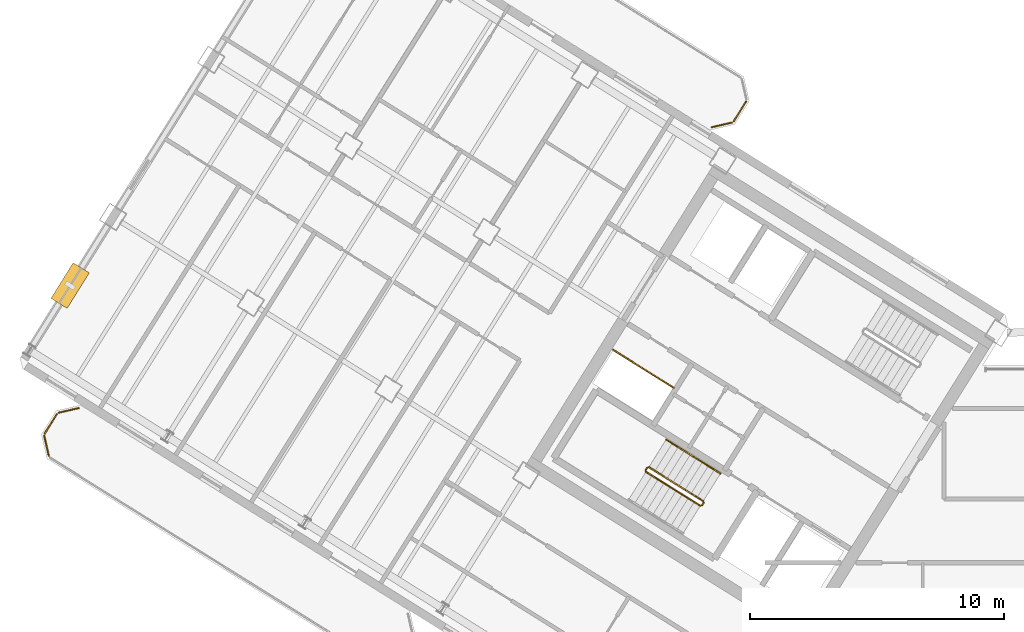
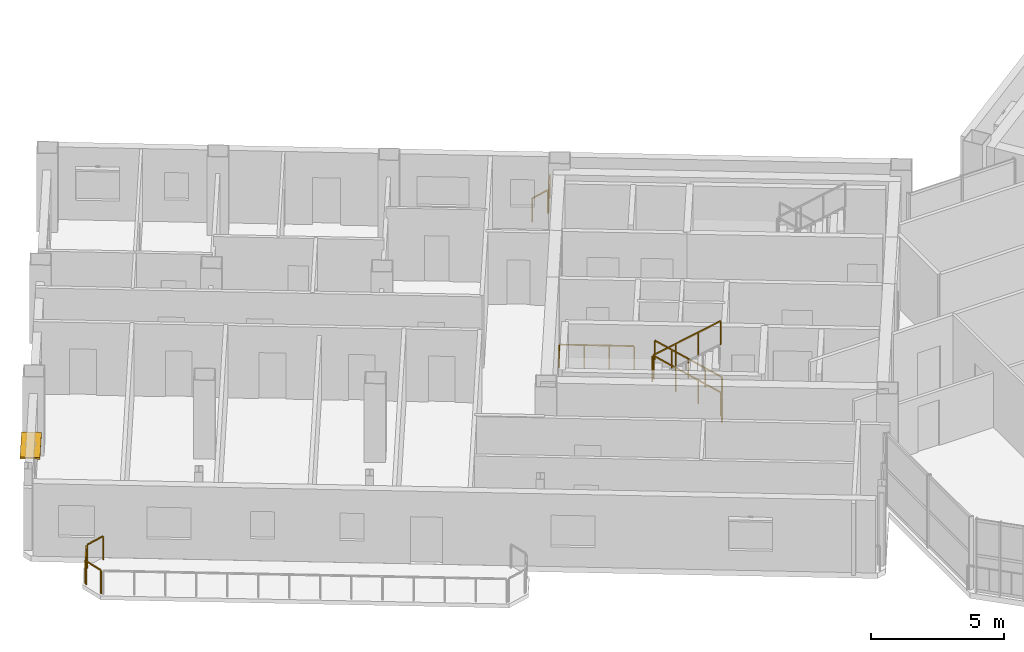
# One storey, part 24 of 27: 12 railings, 1 shading device.
"""IFC4 building model written with IfcOpenShell, lengths in metres."""

from ifc_helpers import new_model, si_unit, direction, frame, origin, origin_2d, place, context, subcontext, project, spatial, rectangle, extrude, source, transform, mapped, material, layer, layer_set, type_object, element, save


model = new_model("IFC4")

# Units and contexts
model_context = context("Model", 3, precision=1e-05, world=origin(), true_north=direction((0.0, 1.0)))
body_context = subcontext(model_context, "Body", "Model", "MODEL_VIEW")
ifc_project = project(units=[si_unit("LENGTHUNIT", "METRE"), si_unit("AREAUNIT", "SQUARE_METRE"), si_unit("VOLUMEUNIT", "CUBIC_METRE"), si_unit("PLANEANGLEUNIT", "RADIAN"), si_unit("MASSUNIT", "GRAM", prefix="KILO")], contexts=[model_context])

# Site, building, storey
site_placement = place(None, origin())
site = spatial("IfcSite", under=ifc_project, at=site_placement, CompositionType="ELEMENT")
building_placement = place(site_placement, origin())
building = spatial("IfcBuilding", under=site, at=building_placement, Name="Tlacorven Tower", CompositionType="ELEMENT")
storey_placement = place(building_placement, frame((0.0, 0.0, 242.10009765625)))
storey = spatial("IfcBuildingStorey", under=building, at=storey_placement, Name="L61", CompositionType="ELEMENT", Elevation=242.10009765625)

# Railings
ifc_material_1 = material(Name="Aluminium and painted steel balustrade", Category="steel")
railing_type_1 = type_object("IfcRailingType", Name="RL-GRD-1100", PredefinedType="GUARDRAIL", material=ifc_material_1)
shared_shape_1 = source(origin(), body_context, "Body", "SweptSolid", [
    extrude(rectangle(XDim=0.048095703125, YDim=0.048095703125, at=origin_2d()), frame((0.0, 0.0, 1.076171875), z_axis=(-0.848091358275, 0.529850024081, 0.0), x_axis=(-0.529850024081, -0.848091358275, 0.0)), (0.0, 0.0, 1.0), 2.800048828125),
    extrude(rectangle(XDim=0.0419921875, YDim=0.0419921875, at=origin_2d()), origin(), (0.0, 0.0, 1.0), 1.052001953125),
    extrude(rectangle(XDim=0.0419921875, YDim=0.0419921875, at=origin_2d()), frame((-0.79150390625, 0.49462890625, 0.0)), (0.0, 0.0, 1.0), 1.052001953125),
    extrude(rectangle(XDim=0.0419921875, YDim=0.0419921875, at=origin_2d()), frame((-1.583251953125, 0.989013671875, 0.0)), (0.0, 0.0, 1.0), 1.052001953125),
    extrude(rectangle(XDim=0.0419921875, YDim=0.0419921875, at=origin_2d()), frame((-2.374755859375, 1.483642578125, 0.0)), (0.0, 0.0, 1.0), 1.052001953125),
])
railing_1_placement = place(storey_placement, frame((27.9912109375, 22.32080078125, 0.0)))
element("IfcRailing", 1, at=railing_1_placement, inside=storey, type_object=railing_type_1, Name="L61 Electrical Riser W Shaft Guard 1", PredefinedType="GUARDRAIL", context=body_context, shape_type="MappedRepresentation", body=[
    mapped(shared_shape_1, transform((0.0, 0.0, 0.0), scale=1.0)),
])
railing_type_2 = type_object("IfcRailingType", Name="RL-BAL-1100", PredefinedType="BALUSTRADE", material=ifc_material_1)
shared_shape_2 = source(origin(), body_context, "Body", "SweptSolid", [
    extrude(rectangle(XDim=0.048095703125, YDim=0.048095703125, at=origin_2d()), frame((0.0, 0.0, 1.076171875), z_axis=(-0.52987865805, -0.848073468364, 0.0), x_axis=(0.848073468364, -0.52987865805, 0.0)), (0.0, 0.0, 1.0), 0.912353515625),
    extrude(rectangle(XDim=0.0419921875, YDim=0.0419921875, at=origin_2d()), origin(), (0.0, 0.0, 1.0), 1.052001953125),
    extrude(rectangle(XDim=0.0419921875, YDim=0.0419921875, at=origin_2d()), frame((-0.4833984375, -0.773681640625, 0.0)), (0.0, 0.0, 1.0), 1.052001953125),
])
railing_2_placement = place(storey_placement, frame((30.845947265625, 33.588623046875, 0.0)))
element("IfcRailing", 2, at=railing_2_placement, inside=storey, type_object=railing_type_2, Name="BAL-L61-W-IN Guard Railing 2", PredefinedType="BALUSTRADE", context=body_context, shape_type="MappedRepresentation", body=[
    mapped(shared_shape_2, transform((0.0, 0.0, 0.0), scale=1.0)),
])
shared_shape_3 = source(origin(), body_context, "Body", "SweptSolid", [
    extrude(rectangle(XDim=0.048095703125, YDim=0.048095703125, at=origin_2d()), frame((0.0, 0.0, 1.076171875), z_axis=(-0.225058334816, 0.974345290916, 0.0), x_axis=(-0.974345290916, -0.225058334816, 0.0)), (0.0, 0.0, 1.0), 0.80712890625),
    extrude(rectangle(XDim=0.0419921875, YDim=0.0419921875, at=origin_2d()), origin(), (0.0, 0.0, 1.0), 1.052001953125),
    extrude(rectangle(XDim=0.0419921875, YDim=0.0419921875, at=origin_2d()), frame((-0.181640625, 0.786376953125, 0.0)), (0.0, 0.0, 1.0), 1.052001953125),
])
railing_3_placement = place(storey_placement, frame((3.380859375, 19.62841796875, 0.0)))
element("IfcRailing", 3, at=railing_3_placement, inside=storey, type_object=railing_type_2, Name="BAL-L61-W-OUT Guard Railing 5", PredefinedType="BALUSTRADE", context=body_context, shape_type="MappedRepresentation", body=[
    mapped(shared_shape_3, transform((0.0, 0.0, 0.0), scale=1.0)),
])
shared_shape_4 = source(origin(), body_context, "Body", "SweptSolid", [
    extrude(rectangle(XDim=0.048095703125, YDim=0.048095703125, at=origin_2d()), frame((0.0, 0.0, 1.076171875), z_axis=(0.52987865805, 0.848073468364, 0.0), x_axis=(-0.848073468364, 0.52987865805, 0.0)), (0.0, 0.0, 1.0), 0.912353515625),
    extrude(rectangle(XDim=0.0419921875, YDim=0.0419921875, at=origin_2d()), origin(), (0.0, 0.0, 1.0), 1.052001953125),
    extrude(rectangle(XDim=0.0419921875, YDim=0.0419921875, at=origin_2d()), frame((0.4833984375, 0.773681640625, 0.0)), (0.0, 0.0, 1.0), 1.052001953125),
])
railing_4_placement = place(storey_placement, frame((3.214599609375, 20.505859375, 0.0)))
element("IfcRailing", 4, at=railing_4_placement, inside=storey, type_object=railing_type_2, Name="BAL-L61-W-OUT Guard Railing 6", PredefinedType="BALUSTRADE", context=body_context, shape_type="MappedRepresentation", body=[
    mapped(shared_shape_4, transform((0.0, 0.0, 0.0), scale=1.0)),
])
shared_shape_5 = source(origin(), body_context, "Body", "SweptSolid", [
    extrude(rectangle(XDim=0.048095703125, YDim=0.048095703125, at=origin_2d()), frame((0.0, 0.0, 1.076171875), z_axis=(0.974345290916, 0.225058334816, 0.0), x_axis=(-0.225058334816, 0.974345290916, 0.0)), (0.0, 0.0, 1.0), 0.80712890625),
    extrude(rectangle(XDim=0.0419921875, YDim=0.0419921875, at=origin_2d()), origin(), (0.0, 0.0, 1.0), 1.052001953125),
    extrude(rectangle(XDim=0.0419921875, YDim=0.0419921875, at=origin_2d()), frame((0.786376953125, 0.181640625, 0.0)), (0.0, 0.0, 1.0), 1.052001953125),
])
railing_5_placement = place(storey_placement, frame((3.773193359375, 21.3330078125, 0.0)))
element("IfcRailing", 5, at=railing_5_placement, inside=storey, type_object=railing_type_2, Name="BAL-L61-W-OUT Guard Railing 7", PredefinedType="BALUSTRADE", context=body_context, shape_type="MappedRepresentation", body=[
    mapped(shared_shape_5, transform((0.0, 0.0, 0.0), scale=1.0)),
])
shared_shape_6 = source(origin(), body_context, "Body", "SweptSolid", [
    extrude(rectangle(XDim=0.048095703125, YDim=0.048095703125, at=origin_2d()), frame((0.0, 0.0, 1.076171875), z_axis=(-0.974345290916, -0.225058334816, 0.0), x_axis=(0.225058334816, -0.974345290916, 0.0)), (0.0, 0.0, 1.0), 0.80712890625),
    extrude(rectangle(XDim=0.0419921875, YDim=0.0419921875, at=origin_2d()), origin(), (0.0, 0.0, 1.0), 1.052001953125),
    extrude(rectangle(XDim=0.0419921875, YDim=0.0419921875, at=origin_2d()), frame((-0.786376953125, -0.181640625, 0.0)), (0.0, 0.0, 1.0), 1.052001953125),
])
railing_6_placement = place(storey_placement, frame((30.287353515625, 32.761474609375, 0.0)))
element("IfcRailing", 6, at=railing_6_placement, inside=storey, type_object=railing_type_2, Name="BAL-L61-W-IN Guard Railing 3", PredefinedType="BALUSTRADE", context=body_context, shape_type="MappedRepresentation", body=[
    mapped(shared_shape_6, transform((0.0, 0.0, 0.0), scale=1.0)),
])

# Shading device
ifc_material_2 = material(Name="Anodised bronze aluminium sunshade", Category="aluminium")
ifc_layer = layer(ifc_material_2, 0.080078125)
ifc_layer_set = layer_set([ifc_layer], Name="Anodised bronze aluminium sunshade")
shading_device_type = type_object("IfcShadingDeviceType", Name="SH-SUN-BRZ", PredefinedType="AWNING", material=ifc_layer_set)
shared_shape_7 = source(origin(), body_context, "Body", "SweptSolid", [
    extrude(rectangle(XDim=1.64990234375, YDim=0.75, at=origin_2d()), origin(), (0.0, 0.0, 1.0), 0.080078125),
])
shading_device_placement = place(storey_placement, frame((4.219482421875, 26.341064453125, 2.369873046875), z_axis=(0.0, 0.0, 1.0), x_axis=(0.529918940959, 0.84804829816, 0.0)))
element("IfcShadingDevice", 7, at=shading_device_placement, inside=storey, type_object=shading_device_type, Name="L61 Solar Brise-Soleil Sunshade L61-02.1", PredefinedType="AWNING", context=body_context, shape_type="MappedRepresentation", body=[
    mapped(shared_shape_7, transform((0.0, 0.0, 0.0), scale=1.0)),
])

# Railings
shared_shape_8 = source(origin(), body_context, "Body", "SweptSolid", [
    extrude(rectangle(XDim=0.048095703125, YDim=0.048095703125, at=origin_2d()), frame((0.0, 0.0, 1.076171875), z_axis=(-0.529084052582, -0.848569422795, 0.0), x_axis=(0.848569422795, -0.529084052582, 0.0)), (0.0, 0.0, 1.0), 0.119873046875),
    extrude(rectangle(XDim=0.0419921875, YDim=0.0419921875, at=origin_2d()), origin(), (0.0, 0.0, 1.0), 1.052001953125),
    extrude(rectangle(XDim=0.0419921875, YDim=0.0419921875, at=origin_2d()), frame((-0.0634765625, -0.101806640625, 0.0)), (0.0, 0.0, 1.0), 1.052001953125),
])
railing_7_placement = place(storey_placement, frame((29.176513671875, 17.782958984375, 0.0)))
element("IfcRailing", 8, at=railing_7_placement, inside=storey, type_object=railing_type_1, Name="L61 ST-W1 stair guard 4", PredefinedType="GUARDRAIL", context=body_context, shape_type="MappedRepresentation", body=[
    mapped(shared_shape_8, transform((0.0, 0.0, 0.0), scale=1.0)),
])
shared_shape_9 = source(origin(), body_context, "Body", "SweptSolid", [
    extrude(rectangle(XDim=0.048095703125, YDim=0.048095703125, at=origin_2d()), frame((0.0, 0.0, 1.076171875), z_axis=(-0.530546985787, -0.847655529016, 0.0), x_axis=(0.847655529016, -0.530546985787, 0.0)), (0.0, 0.0, 1.0), 0.1201171875),
    extrude(rectangle(XDim=0.0419921875, YDim=0.0419921875, at=origin_2d()), origin(), (0.0, 0.0, 1.0), 1.052001953125),
    extrude(rectangle(XDim=0.0419921875, YDim=0.0419921875, at=origin_2d()), frame((-0.063720703125, -0.101806640625, 0.0)), (0.0, 0.0, 1.0), 1.052001953125),
])
railing_8_placement = place(storey_placement, frame((26.954833984375, 19.17138671875, 1.7998046875)))
element("IfcRailing", 9, at=railing_8_placement, inside=storey, type_object=railing_type_1, Name="L61 ST-W1 stair guard 2", PredefinedType="GUARDRAIL", context=body_context, shape_type="MappedRepresentation", body=[
    mapped(shared_shape_9, transform((0.0, 0.0, 0.0), scale=1.0)),
])
railing_type_3 = type_object("IfcRailingType", Name="RL-HND-0900", PredefinedType="HANDRAIL", material=ifc_material_1)
shared_shape_10 = source(origin(), body_context, "Body", "SweptSolid", [
    extrude(rectangle(XDim=0.048095703125, YDim=0.048095703125, at=origin_2d()), frame((0.0, 0.0, 0.8759765625), z_axis=(-0.713359751793, 0.4457479829, 0.540764828981), x_axis=(-0.529911857636, -0.848052724267, 0.0)), (0.0, 0.0, 1.0), 1.498046875),
    extrude(rectangle(XDim=0.0419921875, YDim=0.0419921875, at=origin_2d()), origin(), (0.0, 0.0, 1.0), 0.851806640625),
    extrude(rectangle(XDim=0.0419921875, YDim=0.0419921875, at=origin_2d()), frame((-0.5341796875, 0.333984375, 0.405029296875)), (0.0, 0.0, 1.0), 0.851806640625),
    extrude(rectangle(XDim=0.0419921875, YDim=0.0419921875, at=origin_2d()), frame((-1.068603515625, 0.667724609375, 0.81005859375)), (0.0, 0.0, 1.0), 0.851806640625),
])
railing_9_placement = place(storey_placement, frame((29.839111328125, 18.937255859375, 0.179931640625)))
element("IfcRailing", 10, at=railing_9_placement, inside=storey, type_object=railing_type_3, Name="L61 ST-W1 stair handrail 1", PredefinedType="HANDRAIL", context=body_context, shape_type="MappedRepresentation", body=[
    mapped(shared_shape_10, transform((0.0, 0.0, 0.0), scale=1.0)),
])
shared_shape_11 = source(origin(), body_context, "Body", "SweptSolid", [
    extrude(rectangle(XDim=0.048095703125, YDim=0.048095703125, at=origin_2d()), frame((0.0, 0.0, 1.076171875), z_axis=(-0.713351164325, 0.445793541512, 0.540738601085), x_axis=(-0.529955395941, -0.84802551749, 0.0)), (0.0, 0.0, 1.0), 2.99560546875),
    extrude(rectangle(XDim=0.0419921875, YDim=0.0419921875, at=origin_2d()), origin(), (0.0, 0.0, 1.0), 1.052001953125),
    extrude(rectangle(XDim=0.0419921875, YDim=0.0419921875, at=origin_2d()), frame((-0.71240234375, 0.445068359375, 0.5400390625)), (0.0, 0.0, 1.0), 1.052001953125),
    extrude(rectangle(XDim=0.0419921875, YDim=0.0419921875, at=origin_2d()), frame((-1.424560546875, 0.890380859375, 1.079833984375)), (0.0, 0.0, 1.0), 1.052001953125),
    extrude(rectangle(XDim=0.0419921875, YDim=0.0419921875, at=origin_2d()), frame((-2.136962890625, 1.33544921875, 1.619873046875)), (0.0, 0.0, 1.0), 1.052001953125),
])
railing_10_placement = place(storey_placement, frame((29.16064453125, 17.851806640625, 0.179931640625)))
element("IfcRailing", 11, at=railing_10_placement, inside=storey, type_object=railing_type_1, Name="L61 ST-W1 stair guard 1", PredefinedType="GUARDRAIL", context=body_context, shape_type="MappedRepresentation", body=[
    mapped(shared_shape_11, transform((0.0, 0.0, 0.0), scale=1.0)),
])
shared_shape_12 = source(origin(), body_context, "Body", "SweptSolid", [
    extrude(rectangle(XDim=0.048095703125, YDim=0.048095703125, at=origin_2d()), frame((0.0, 0.0, 1.076171875), z_axis=(0.71339118691, -0.44576762536, 0.540707165313), x_axis=(0.529911857636, 0.848052724267, 0.0)), (0.0, 0.0, 1.0), 2.995849609375),
    extrude(rectangle(XDim=0.0419921875, YDim=0.0419921875, at=origin_2d()), origin(), (0.0, 0.0, 1.0), 1.052001953125),
    extrude(rectangle(XDim=0.0419921875, YDim=0.0419921875, at=origin_2d()), frame((0.71240234375, -0.445068359375, 0.5400390625)), (0.0, 0.0, 1.0), 1.052001953125),
    extrude(rectangle(XDim=0.0419921875, YDim=0.0419921875, at=origin_2d()), frame((1.4248046875, -0.890380859375, 1.079833984375)), (0.0, 0.0, 1.0), 1.052001953125),
    extrude(rectangle(XDim=0.0419921875, YDim=0.0419921875, at=origin_2d()), frame((2.13720703125, -1.33544921875, 1.619873046875)), (0.0, 0.0, 1.0), 1.052001953125),
])
railing_11_placement = place(storey_placement, frame((26.906982421875, 19.000732421875, 1.97998046875)))
element("IfcRailing", 12, at=railing_11_placement, inside=storey, type_object=railing_type_1, Name="L61 ST-W1 stair guard 3", PredefinedType="GUARDRAIL", context=body_context, shape_type="MappedRepresentation", body=[
    mapped(shared_shape_12, transform((0.0, 0.0, 0.0), scale=1.0)),
])
shared_shape_13 = source(origin(), body_context, "Body", "SweptSolid", [
    extrude(rectangle(XDim=0.048095703125, YDim=0.048095703125, at=origin_2d()), frame((0.0, 0.0, 0.8759765625), z_axis=(-0.713422621445, 0.445787267455, 0.540649494022), x_axis=(-0.529911857636, -0.848052724267, 0.0)), (0.0, 0.0, 1.0), 1.497802734375),
    extrude(rectangle(XDim=0.0419921875, YDim=0.0419921875, at=origin_2d()), origin(), (0.0, 0.0, 1.0), 0.851806640625),
    extrude(rectangle(XDim=0.0419921875, YDim=0.0419921875, at=origin_2d()), frame((-0.5341796875, 0.333984375, 0.40478515625)), (0.0, 0.0, 1.0), 0.851806640625),
    extrude(rectangle(XDim=0.0419921875, YDim=0.0419921875, at=origin_2d()), frame((-1.068603515625, 0.667724609375, 0.809814453125)), (0.0, 0.0, 1.0), 0.851806640625),
])
railing_12_placement = place(storey_placement, frame((28.7705078125, 19.60498046875, 0.989990234375)))
element("IfcRailing", 13, at=railing_12_placement, inside=storey, type_object=railing_type_3, Name="L61 ST-W1 stair handrail 2", PredefinedType="HANDRAIL", context=body_context, shape_type="MappedRepresentation", body=[
    mapped(shared_shape_13, transform((0.0, 0.0, 0.0), scale=1.0)),
])

save(model, "model.ifc")
